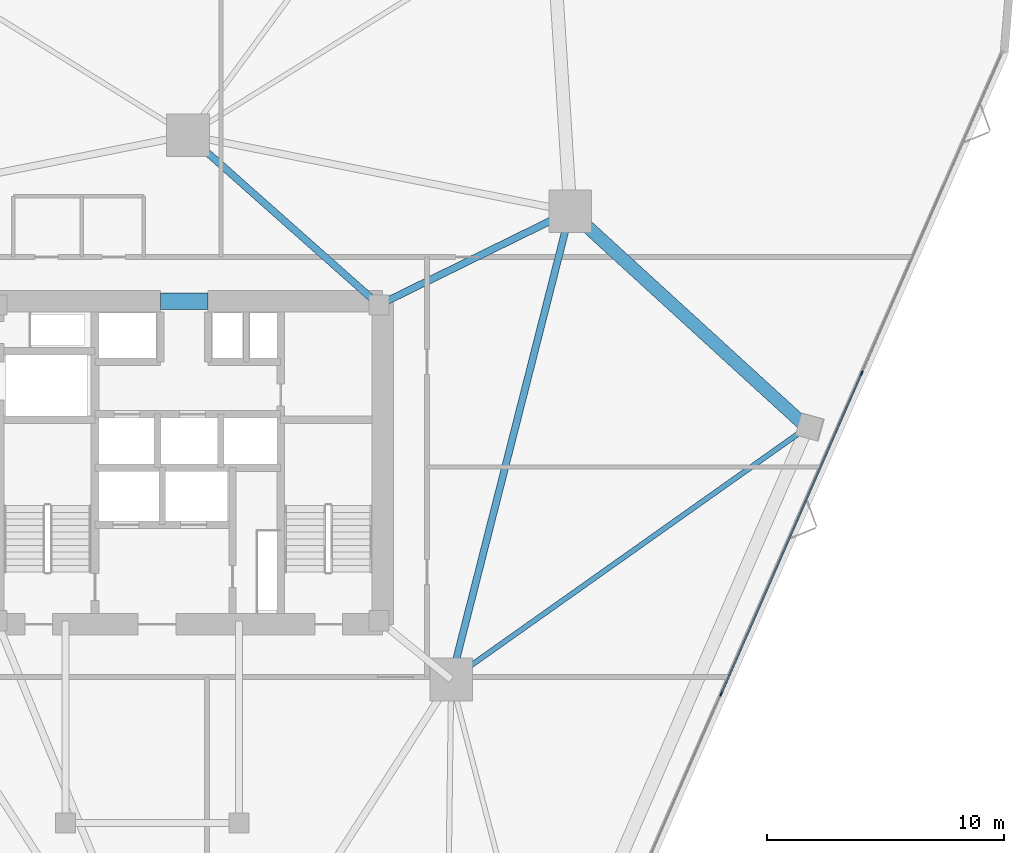
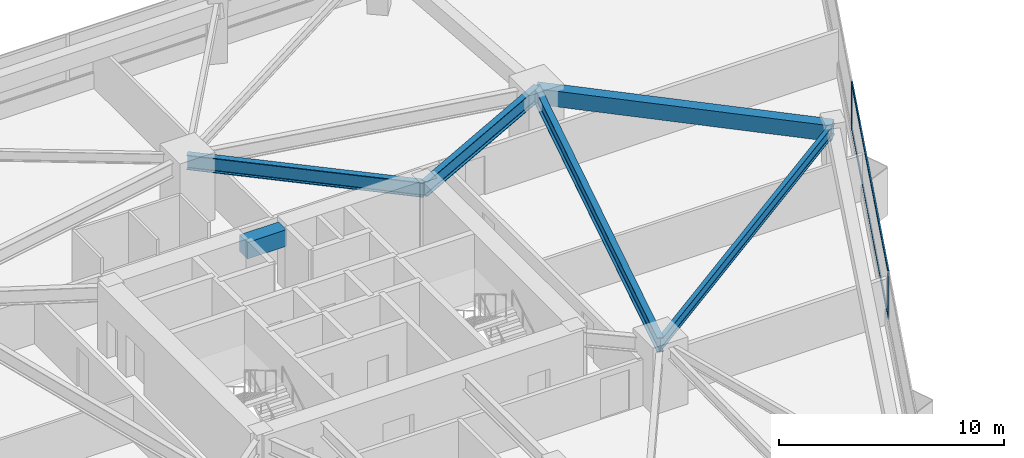
# One storey, part 9 of 20: 6 beams, 4 members, 1 element without a shape of its own.
"""IFC4 building model written with IfcOpenShell, lengths in metres."""

import ifcopenshell
import ifcopenshell.guid

model = None  # the IFC model being written
_history = None  # IfcOwnerHistory: only IFC2X3 demands one
_inside = {}  # id of a spatial element -> (the spatial element, [elements in it])
_under = {}  # id of a project, library or spatial element -> (it, [spatial elements below it])
_declared = {}  # id of a project -> (the project, [libraries it declares])
_typed = {}  # id of a type object -> (the type object, [elements of that type])
_made_of = {}  # id of a material, layer set ... -> (it, [elements and type objects made of it])


def new_model(schema):
    """Start an empty IFC model of exactly this schema.

    Asked for "IFC4X3", IfcOpenShell would pick the latest addendum, in which some entities
    have other attributes; the version numbers below select the first issue.
    IFC2X3 requires an IfcOwnerHistory on every rooted entity: one is made here for all.
    """
    global model, _history
    if schema == "IFC4X3":
        model = ifcopenshell.file(schema_version=(4, 3, 0, 0))
    else:
        model = ifcopenshell.file(schema=schema)
    _inside.clear()
    _under.clear()
    _declared.clear()
    _typed.clear()
    _made_of.clear()
    _history = None
    if model.schema == "IFC2X3":
        org = make("IfcOrganization", Name="unknown")
        user = make(
            "IfcPersonAndOrganization",
            ThePerson=make("IfcPerson", FamilyName="unknown"),
            TheOrganization=org,
        )
        app = make(
            "IfcApplication",
            ApplicationDeveloper=org,
            Version="unknown",
            ApplicationFullName="unknown",
            ApplicationIdentifier="unknown",
        )
        _history = make(
            "IfcOwnerHistory",
            OwningUser=user,
            OwningApplication=app,
            ChangeAction="ADDED",
            CreationDate=0,
        )
    return model


def make(cls, **values):
    """One entity of the class cls with the attributes given. An attribute that is None is left unset."""
    return model.create_entity(
        cls, **{name: value for name, value in values.items() if value is not None}
    )


def rooted(cls, **values):
    """An entity with a GlobalId (a new one), such as an element, a storey or a relation."""
    return make(cls, GlobalId=ifcopenshell.guid.new(), OwnerHistory=_history, **values)


def si_unit(unit_type, name, prefix=None):
    """IfcSIUnit, for example si_unit("LENGTHUNIT", "METRE", prefix="MILLI")."""
    return make("IfcSIUnit", UnitType=unit_type, Prefix=prefix, Name=name)


def assignment(units):
    """IfcUnitAssignment: the units of a project."""
    return None if units is None else make("IfcUnitAssignment", Units=units)


def point(xyz):
    """IfcCartesianPoint."""
    return None if xyz is None else make("IfcCartesianPoint", Coordinates=xyz)


def direction(xyz):
    """IfcDirection."""
    return None if xyz is None else make("IfcDirection", DirectionRatios=xyz)


def frame(location, z_axis=None, x_axis=None):
    """IfcAxis2Placement3D, a coordinate frame: its origin and axes. An axis left out is left unset."""
    return make(
        "IfcAxis2Placement3D",
        Location=point(location),
        Axis=direction(z_axis),
        RefDirection=direction(x_axis),
    )


def frame_2d(location, x_axis=None):
    """IfcAxis2Placement2D, a coordinate frame in the plane: its origin and x axis."""
    return make(
        "IfcAxis2Placement2D", Location=point(location), RefDirection=direction(x_axis)
    )


def origin():
    """The frame at (0, 0, 0) with its axes left unset."""
    return frame((0.0, 0.0, 0.0))


def origin_2d():
    """The frame at (0, 0) in the plane with its x axis left unset."""
    return frame_2d((0.0, 0.0))


def place(relative_to, where):
    """IfcLocalPlacement: puts the frame where relative to a parent placement (None: the world)."""
    return make(
        "IfcLocalPlacement", PlacementRelTo=relative_to, RelativePlacement=where
    )


def context(
    kind, dimensions, precision=None, world=None, true_north=None, identifier=None
):
    """IfcGeometricRepresentationContext, for example the 3D "Model" context."""
    return make(
        "IfcGeometricRepresentationContext",
        ContextIdentifier=identifier,
        ContextType=kind,
        CoordinateSpaceDimension=dimensions,
        Precision=precision,
        WorldCoordinateSystem=world,
        TrueNorth=true_north,
    )


def subcontext(parent, identifier, kind, view, scale=None):
    """IfcGeometricRepresentationSubContext, for example "Body" below "Model"."""
    return make(
        "IfcGeometricRepresentationSubContext",
        ContextIdentifier=identifier,
        ContextType=kind,
        ParentContext=parent,
        TargetScale=scale,
        TargetView=view,
    )


def project(units=None, contexts=None):
    """IfcProject with its units and contexts."""
    return rooted(
        "IfcProject",
        Name="project",
        RepresentationContexts=contexts,
        UnitsInContext=assignment(units),
    )


def spatial(cls, under=None, at=None, **own):
    """A site, building, storey or space (cls), placed at a placement, below another one or the project."""
    s = rooted(cls, ObjectPlacement=at, **own)
    if under is not None:
        _under.setdefault(under.id(), (under, []))[1].append(s)
    return s


def profile(cls, at=None, kind="AREA", **sizes):
    """A parametric profile (cls). Its sizes go by their IFC names, for example OverallWidth=200.0."""
    return make(cls, ProfileType=kind, Position=at, **sizes)


def rectangle(**sizes):
    """IfcRectangleProfileDef."""
    return profile("IfcRectangleProfileDef", **sizes)


def i_section(**sizes):
    """IfcIShapeProfileDef."""
    return profile("IfcIShapeProfileDef", **sizes)


def extrude(swept, where, along, depth):
    """IfcExtrudedAreaSolid: the profile swept, set in the frame where, extruded along a direction by depth."""
    return make(
        "IfcExtrudedAreaSolid",
        SweptArea=swept,
        Position=where,
        ExtrudedDirection=direction(along),
        Depth=depth,
    )


def shape(context_of_items, identifier, shape_type, items):
    """IfcShapeRepresentation: the items that make up one representation, for example the "Body"."""
    return make(
        "IfcShapeRepresentation",
        ContextOfItems=context_of_items,
        RepresentationIdentifier=identifier,
        RepresentationType=shape_type,
        Items=items,
    )


def material(Name=None, Category=None):
    """IfcMaterial."""
    return make("IfcMaterial", Name=Name, Category=Category)


def layer(
    of_material, thickness, ventilated=None, Name=None, Category=None, Priority=None
):
    """IfcMaterialLayer: one layer of a wall or slab, of a material (None: an air gap)."""
    return make(
        "IfcMaterialLayer",
        Material=of_material,
        LayerThickness=thickness,
        IsVentilated=ventilated,
        Name=Name,
        Category=Category,
        Priority=Priority,
    )


def layer_set(layers, Name=None):
    """IfcMaterialLayerSet."""
    return make("IfcMaterialLayerSet", MaterialLayers=layers, LayerSetName=Name)


def material_profile(
    of_material, cross_section, Name=None, Category=None, Priority=None
):
    """IfcMaterialProfile: a cross section and its material."""
    return make(
        "IfcMaterialProfile",
        Name=Name,
        Material=of_material,
        Profile=cross_section,
        Priority=Priority,
        Category=Category,
    )


def profile_set(profiles, Name=None, composite=None):
    """IfcMaterialProfileSet."""
    return make(
        "IfcMaterialProfileSet",
        Name=Name,
        MaterialProfiles=profiles,
        CompositeProfile=composite,
    )


def made_of(thing, what):
    """Note that an element or type object is made of a material, layer set ...; save() writes the relation."""
    if what is not None:
        _made_of.setdefault(what.id(), (what, []))[1].append(thing)
    return thing


def type_object(cls, material=None, **own):
    """A type object (cls), such as IfcWallType, which elements share."""
    return made_of(rooted(cls, **own), material)


def element(
    cls,
    number,
    at=None,
    inside=None,
    cuts=None,
    type_object=None,
    material=None,
    context=None,
    identifier="Body",
    shape_type=None,
    held_by="IfcProductDefinitionShape",
    body=None,
    shapes=None,
    **own,
):
    """One element of the class cls, such as IfcWall. Its Tag is "e" and its number.

    at: its placement. inside: the storey or other place that contains it. cuts: it is an
    opening in that element (IfcRelVoidsElement). A single representation is given by context,
    identifier, shape_type and body (its items); several are given by shapes. held_by: the class
    of the entity that holds the representations. save() writes the other relations.
    """
    e = rooted(cls, Tag="e%d" % number, ObjectPlacement=at, **own)
    if body is not None:
        shapes = [shape(context, identifier, shape_type, body)]
    if shapes is not None:
        e.Representation = make(held_by, Representations=shapes)
    if inside is not None:
        _inside.setdefault(inside.id(), (inside, []))[1].append(e)
    if cuts is not None:
        rooted(
            "IfcRelVoidsElement", RelatingBuildingElement=cuts, RelatedOpeningElement=e
        )
    if type_object is not None:
        _typed.setdefault(type_object.id(), (type_object, []))[1].append(e)
    return made_of(e, material)


def aggregate(whole, parts):
    """IfcRelAggregates: a whole, such as a stair, and the parts it consists of."""
    return rooted("IfcRelAggregates", RelatingObject=whole, RelatedObjects=parts)


def save(model, path):
    """Write the relations noted so far, then the file.

    IfcRelAggregates (storeys below a building ...), IfcRelContainedInSpatialStructure (elements
    in a storey), IfcRelDefinesByType, IfcRelAssociatesMaterial and IfcRelDeclares: one each for
    every whole, place, type object, material and project.
    """
    for whole, parts in _under.values():
        aggregate(whole, parts)
    for where, things in _inside.values():
        rooted(
            "IfcRelContainedInSpatialStructure",
            RelatedElements=things,
            RelatingStructure=where,
        )
    for kind, things in _typed.values():
        rooted("IfcRelDefinesByType", RelatedObjects=things, RelatingType=kind)
    for what, things in _made_of.values():
        rooted("IfcRelAssociatesMaterial", RelatedObjects=things, RelatingMaterial=what)
    for by, libraries in _declared.values():
        rooted("IfcRelDeclares", RelatingContext=by, RelatedDefinitions=libraries)
    model.write(path)


model = new_model("IFC4")

# Units and contexts
model_context = context("Model", 3, precision=1e-05, world=origin(), true_north=direction((0.0, 1.0)))
body_context = subcontext(model_context, "Body", "Model", "MODEL_VIEW")
ifc_project = project(units=[si_unit("LENGTHUNIT", "METRE"), si_unit("AREAUNIT", "SQUARE_METRE"), si_unit("VOLUMEUNIT", "CUBIC_METRE"), si_unit("PLANEANGLEUNIT", "RADIAN"), si_unit("MASSUNIT", "GRAM", prefix="KILO")], contexts=[model_context])

# Site, building, storey
site_placement = place(None, origin())
site = spatial("IfcSite", under=ifc_project, at=site_placement, CompositionType="ELEMENT")
building_placement = place(site_placement, origin())
building = spatial("IfcBuilding", under=site, at=building_placement, Name="Talyreon Biosciences Tower", CompositionType="ELEMENT")
storey_placement = place(building_placement, frame((0.0, 0.0, 26.449951171875)))
storey = spatial("IfcBuildingStorey", under=building, at=storey_placement, Name="L06", CompositionType="ELEMENT", Elevation=26.449951171875)

# Curtain wall, members
ifc_material_1 = material(Name="Thermally broken aluminium and low-E glazing", Category="aluminium")
ifc_layer = layer(ifc_material_1, 0.195068359375)
ifc_layer_set = layer_set([ifc_layer], Name="Thermally broken aluminium and low-E glazing")
curtain_wall_type = type_object("IfcCurtainWallType", Name="CurtainWall_Zone1WetLab", PredefinedType="NOTDEFINED", material=ifc_layer_set)
curtain_wall_placement = place(storey_placement, origin())
curtain_wall = element("IfcCurtainWall", 1, at=curtain_wall_placement, inside=storey, type_object=curtain_wall_type, Name="L06 Unitised Curtain Wall FCW-L06-08", PredefinedType="NOTDEFINED")
ifc_material_2 = material(Name="Anodised thermally broken aluminium", Category="aluminium")
ifc_material_profile_1 = material_profile(ifc_material_2, rectangle(XDim=0.06494140625, YDim=0.179931640625, at=origin_2d()), Name="ALUM MULLION 65x180")
ifc_profile_set_1 = profile_set([ifc_material_profile_1], Name="Anodised thermally broken aluminium")
member_type_1 = type_object("IfcMemberType", Name="CWMullion_65x180", PredefinedType="MULLION", material=ifc_profile_set_1)
member_1_placement = place(storey_placement, frame((94.378662109375, 71.783935546875, 0.81005859375), z_axis=(0.0, 0.0, 1.0), x_axis=(0.915926900592, -0.401345129249, 0.0)))
member_1 = element("IfcMember", 2, at=member_1_placement, type_object=member_type_1, Name="CW2 mullion 2", PredefinedType="MULLION", context=body_context, shape_type="SweptSolid", body=[
    extrude(rectangle(XDim=0.06494140625, YDim=0.179931640625, at=origin_2d()), origin(), (0.0, 0.0, 1.0), 2.56494140625),
])
member_2_placement = place(storey_placement, frame((88.45654296875, 58.268310546875, 0.81005859375), z_axis=(0.0, 0.0, 1.0), x_axis=(0.915926900592, -0.401345129249, 0.0)))
member_2 = element("IfcMember", 3, at=member_2_placement, type_object=member_type_1, Name="CW2 mullion 3", PredefinedType="MULLION", context=body_context, shape_type="SweptSolid", body=[
    extrude(rectangle(XDim=0.06494140625, YDim=0.179931640625, at=origin_2d()), origin(), (0.0, 0.0, 1.0), 2.56494140625),
])
ifc_material_profile_2 = material_profile(ifc_material_2, rectangle(XDim=0.06494140625, YDim=0.139892578125, at=origin_2d()), Name="ALUM TRANSOM 65x140")
ifc_profile_set_2 = profile_set([ifc_material_profile_2], Name="Anodised thermally broken aluminium")
member_type_2 = type_object("IfcMemberType", Name="CWTransom_65x140", PredefinedType="USERDEFINED", material=ifc_profile_set_2)
member_3_placement = place(storey_placement, frame((94.36572265625, 71.754150390625, 0.842529296875), z_axis=(-0.401345318485, -0.915926817672, 0.0), x_axis=(0.915926817672, -0.401345318485, 0.0)))
member_3 = element("IfcMember", 4, at=member_3_placement, type_object=member_type_2, Name="CW2 transom 2.1", ObjectType="TRANSOM", PredefinedType="USERDEFINED", context=body_context, shape_type="SweptSolid", body=[
    extrude(rectangle(XDim=0.06494140625, YDim=0.139892578125, at=origin_2d()), origin(), (0.0, 0.0, 1.0), 14.691162109375),
])
member_4_placement = place(storey_placement, frame((94.36572265625, 71.754150390625, 3.342529296875), z_axis=(-0.401345318485, -0.915926817672, 0.0), x_axis=(0.915926817672, -0.401345318485, 0.0)))
member_4 = element("IfcMember", 5, at=member_4_placement, type_object=member_type_2, Name="CW2 transom 2.2", ObjectType="TRANSOM", PredefinedType="USERDEFINED", context=body_context, shape_type="SweptSolid", body=[
    extrude(rectangle(XDim=0.06494140625, YDim=0.139892578125, at=origin_2d()), origin(), (0.0, 0.0, 1.0), 14.691162109375),
])
aggregate(curtain_wall, [member_1, member_2, member_3, member_4])

# Beams
ifc_material_3 = material(Name="Concrete C60/75", Category="concrete")
ifc_material_profile_3 = material_profile(ifc_material_3, rectangle(XDim=0.699951171875, YDim=0.89990234375, at=origin_2d()), Name="RCB 700x900")
ifc_profile_set_3 = profile_set([ifc_material_profile_3], Name="Concrete C60/75")
beam_type_1 = type_object("IfcBeamType", Name="CoreCouplingLintel_700x900", PredefinedType="LINTEL", material=ifc_profile_set_3)
beam_1_placement = place(storey_placement, frame((64.85009765625, 74.800048828125, 2.925048828125), z_axis=(1.0, 0.0, 0.0), x_axis=(0.0, 1.0, 0.0)))
element("IfcBeam", 6, at=beam_1_placement, inside=storey, type_object=beam_type_1, Name="L06 Core Coupling Lintel", PredefinedType="LINTEL", context=body_context, shape_type="SweptSolid", body=[
    extrude(rectangle(XDim=0.699951171875, YDim=0.89990234375, at=origin_2d()), origin(), (0.0, 0.0, 1.0), 2.0),
])
ifc_material_4 = material(Name="Precast concrete C45/55", Category="concrete")
ifc_material_profile_4 = material_profile(ifc_material_4, rectangle(XDim=0.550048828125, YDim=0.85009765625, at=origin_2d()), Name="RCB 550x850")
ifc_profile_set_4 = profile_set([ifc_material_profile_4], Name="Precast concrete C45/55")
beam_type_2 = type_object("IfcBeamType", Name="ExpressedSpandrel_550x850", PredefinedType="SPANDREL", material=ifc_profile_set_4)
beam_2_placement = place(storey_placement, frame((92.071044921875, 69.4892578125, 2.949951171875), z_axis=(-0.738209882893, 0.674571099885, 0.0), x_axis=(-0.674571099885, -0.738209882893, 0.0)))
element("IfcBeam", 7, at=beam_2_placement, inside=storey, type_object=beam_type_2, Name="L06 Expressed Horizontal Concrete Spandrel 04", PredefinedType="SPANDREL", context=body_context, shape_type="SweptSolid", body=[
    extrude(rectangle(XDim=0.550048828125, YDim=0.85009765625, at=origin_2d()), origin(), (0.0, 0.0, 1.0), 13.50390625),
])
ifc_material_5 = material(Name="Steel SM355", Category="steel")
ifc_material_profile_5 = material_profile(ifc_material_5, i_section(OverallWidth=0.300048828125, OverallDepth=0.800048828125, WebThickness=0.017578125, FlangeThickness=0.032958984375, FilletRadius=0.030029296875, at=origin_2d()), Name="HE800B")
ifc_profile_set_5 = profile_set([ifc_material_profile_5], Name="Steel SM355")
beam_type_3 = type_object("IfcBeamType", Name="SteelGirder_HE800B", PredefinedType="BEAM", material=ifc_profile_set_5)
beam_3_placement = place(storey_placement, frame((77.086181640625, 58.88037109375, 2.97509765625), z_axis=(0.246537082299, 0.969133358755, 0.0), x_axis=(-0.969133358755, 0.246537082299, 0.0)))
element("IfcBeam", 8, at=beam_3_placement, inside=storey, type_object=beam_type_3, Name="L06 Mega-Ring Girder 2", PredefinedType="BEAM", context=body_context, shape_type="SweptSolid", body=[
    extrude(i_section(OverallWidth=0.300048828125, OverallDepth=0.800048828125, WebThickness=0.017578125, FlangeThickness=0.032958984375, FilletRadius=0.030029296875, at=origin_2d()), origin(), (0.0, 0.0, 1.0), 20.34619140625),
])
beam_4_placement = place(storey_placement, frame((74.050048828125, 74.64990234375, 2.97509765625), z_axis=(0.897852360314, 0.440296648952, 0.0), x_axis=(-0.440296648952, 0.897852360314, 0.0)))
element("IfcBeam", 9, at=beam_4_placement, inside=storey, type_object=beam_type_3, Name="L06 Radial Primary Girder 3", PredefinedType="BEAM", context=body_context, shape_type="SweptSolid", body=[
    extrude(i_section(OverallWidth=0.300048828125, OverallDepth=0.800048828125, WebThickness=0.017578125, FlangeThickness=0.032958984375, FilletRadius=0.030029296875, at=origin_2d()), origin(), (0.0, 0.0, 1.0), 8.96826171875),
])
beam_5_placement = place(storey_placement, frame((74.050048828125, 74.64990234375, 2.97509765625), z_axis=(-0.748178733955, 0.663497235908, 0.0), x_axis=(-0.663497235908, -0.748178733955, 0.0)))
element("IfcBeam", 10, at=beam_5_placement, inside=storey, type_object=beam_type_3, Name="L06 Radial Primary Girder 4", PredefinedType="BEAM", context=body_context, shape_type="SweptSolid", body=[
    extrude(i_section(OverallWidth=0.300048828125, OverallDepth=0.800048828125, WebThickness=0.017578125, FlangeThickness=0.032958984375, FilletRadius=0.030029296875, at=origin_2d()), origin(), (0.0, 0.0, 1.0), 10.759521484375),
])
ifc_material_profile_6 = material_profile(ifc_material_5, i_section(OverallWidth=0.219970703125, OverallDepth=0.60009765625, WebThickness=0.011962890625, FlangeThickness=0.01904296875, FilletRadius=0.02392578125, at=origin_2d()), Name="IPE600")
ifc_profile_set_6 = profile_set([ifc_material_profile_6], Name="Steel SM355")
beam_type_4 = type_object("IfcBeamType", Name="SteelJoist_IPE600", PredefinedType="JOIST", material=ifc_profile_set_6)
beam_6_placement = place(storey_placement, frame((77.086181640625, 58.88037109375, 3.074951171875), z_axis=(0.816162965028, 0.577821784391, 0.0), x_axis=(-0.577821784391, 0.816162965028, 0.0)))
element("IfcBeam", 11, at=beam_6_placement, inside=storey, type_object=beam_type_4, Name="L06 Radial Composite Floor Joist PC-SE2", PredefinedType="JOIST", context=body_context, shape_type="SweptSolid", body=[
    extrude(i_section(OverallWidth=0.219970703125, OverallDepth=0.60009765625, WebThickness=0.011962890625, FlangeThickness=0.01904296875, FilletRadius=0.02392578125, at=origin_2d()), origin(), (0.0, 0.0, 1.0), 18.360107421875),
])

save(model, "model.ifc")
